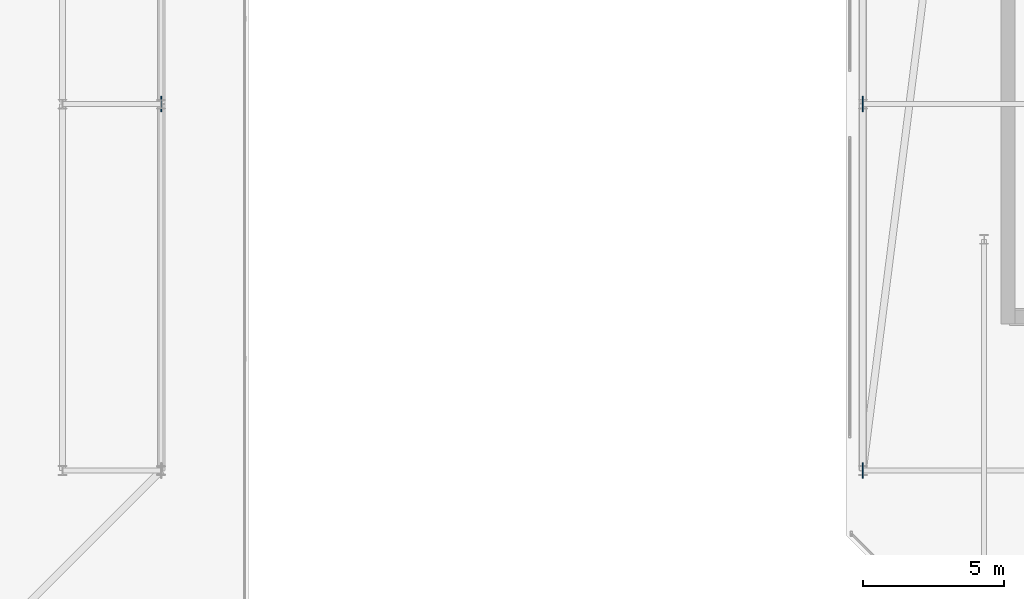
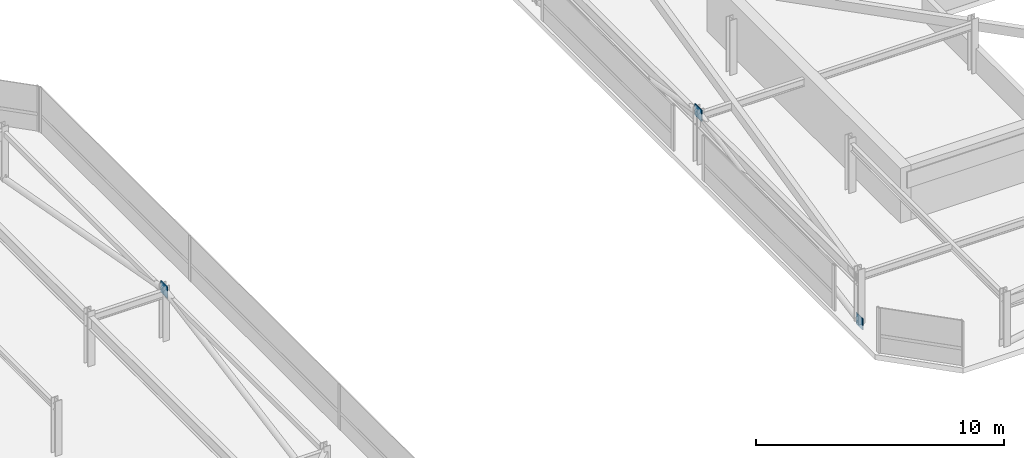
# One storey, part 39 of 42: 3 plates.
"""IFC4 building model written with IfcOpenShell, lengths in metres."""

from ifc_helpers import new_model, si_unit, direction, frame, origin, origin_2d, place, context, subcontext, project, spatial, rectangle, extrude, material, layer, layer_set, type_object, element, save


model = new_model("IFC4")

# Units and contexts
model_context = context("Model", 3, precision=1e-05, world=origin(), true_north=direction((0.0, 1.0)))
body_context = subcontext(model_context, "Body", "Model", "MODEL_VIEW")
ifc_project = project(units=[si_unit("LENGTHUNIT", "METRE"), si_unit("AREAUNIT", "SQUARE_METRE"), si_unit("VOLUMEUNIT", "CUBIC_METRE"), si_unit("PLANEANGLEUNIT", "RADIAN"), si_unit("MASSUNIT", "GRAM", prefix="KILO")], contexts=[model_context])

# Site, building, storey
site_placement = place(None, origin())
site = spatial("IfcSite", under=ifc_project, at=site_placement, CompositionType="ELEMENT")
building_placement = place(site_placement, origin())
building = spatial("IfcBuilding", under=site, at=building_placement, Name="Thornwick Lancets Civic Towers", CompositionType="ELEMENT")
storey_placement = place(building_placement, frame((0.0, 0.0, 289.5)))
storey = spatial("IfcBuildingStorey", under=building, at=storey_placement, Name="C04", CompositionType="ELEMENT", Elevation=289.5)

# Plates
ifc_material = material(Name="Steel S460M", Category="steel")
ifc_layer = layer(ifc_material, 0.0400390625, Name="Steel S460M")
ifc_layer_set = layer_set([ifc_layer], Name="Steel S460M")
plate_type = type_object("IfcPlateType", Name="PLT_GUSSET_40", PredefinedType="USERDEFINED", material=ifc_layer_set)
for number, where, z_axis, x_axis, name in (
    (1, (46.300048828125, 27.0, 2.1650390625), (0.0, 0.0, 1.0), (0.0, 1.0, 0.0), "C04 Brace Connection Gusset Plate 0513"),
    (2, (71.199951171875, 14.0, -0.22509765625), (0.0, 0.0, 1.0), (0.0, 1.0, 0.0), "C04 Brace Connection Gusset Plate 0527"),
    (3, (71.199951171875, 27.0, 2.1650390625), (0.0, 0.0, 1.0), (0.0, 1.0, 0.0), "C04 Brace Connection Gusset Plate 0528"),
):
    element("IfcPlate", number, at=place(storey_placement, frame(where, z_axis=z_axis, x_axis=x_axis)), inside=storey, type_object=plate_type, Name=name, ObjectType="GUSSET_PLATE", PredefinedType="USERDEFINED", context=body_context, shape_type="SweptSolid", body=[
        extrude(rectangle(XDim=0.550048828125, YDim=0.0400390625, at=origin_2d()), origin(), (0.0, 0.0, 1.0), 0.550048828125),
    ])

save(model, "model.ifc")
